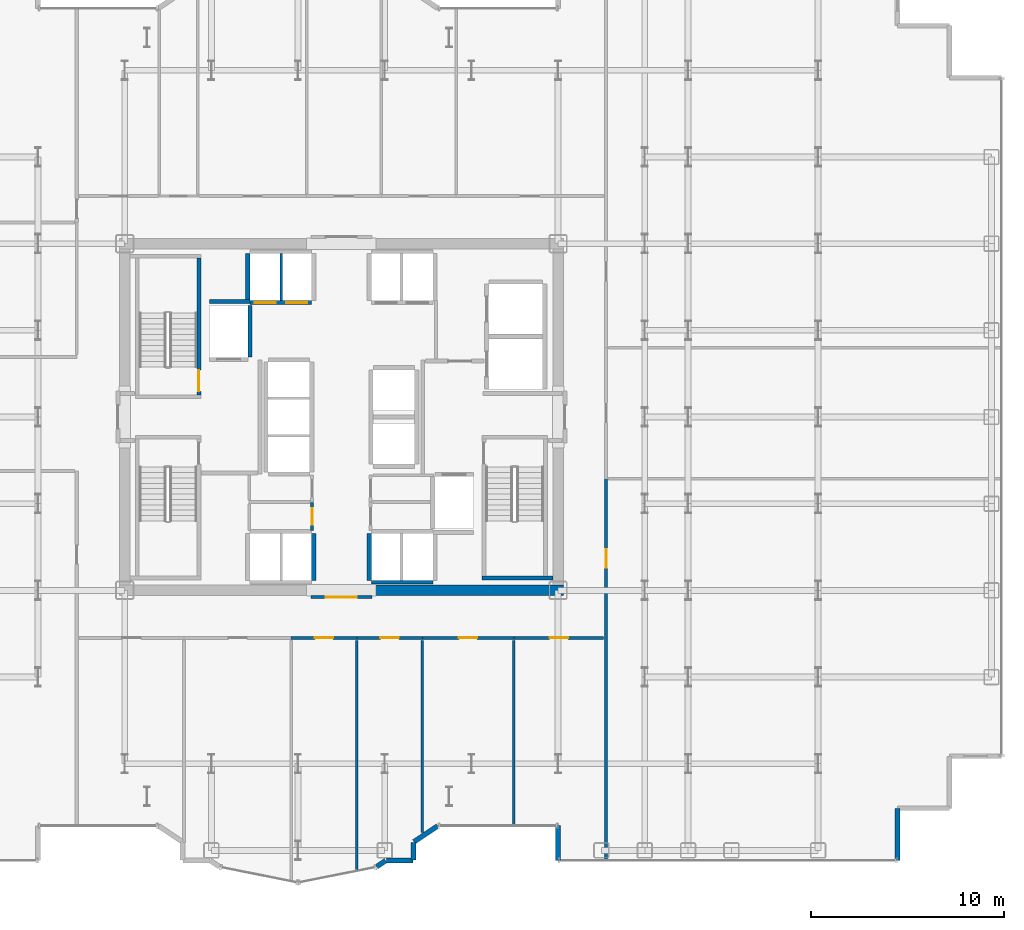
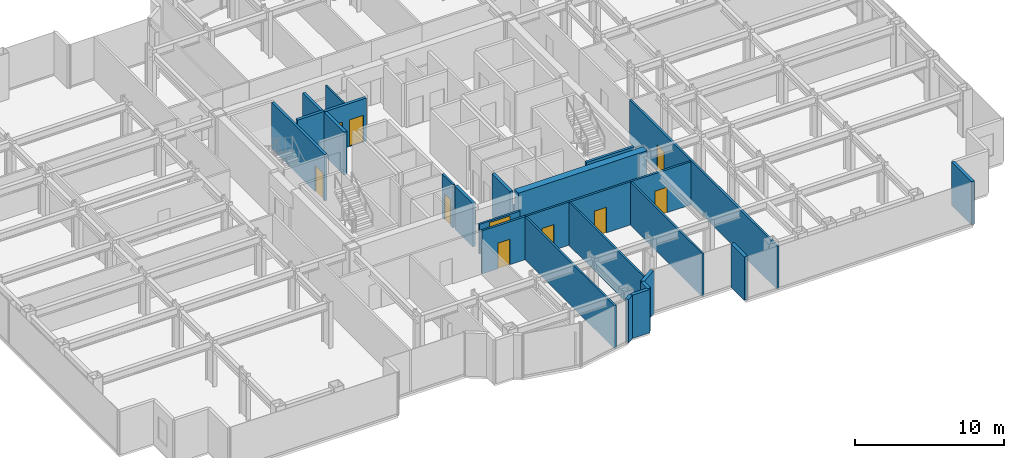
# One storey, part 21 of 25: 27 walls, 10 doors, 10 openings.
"""IFC4 building model written with IfcOpenShell, lengths in metres."""

from ifc_helpers import new_model, si_unit, direction, frame, frame_2d, origin, place, context, subcontext, project, spatial, rectangle, extrude, source, transform, mapped, material, layer, layer_set, type_object, element, fill, save


model = new_model("IFC4")

# Units and contexts
model_context = context("Model", 3, precision=1e-05, world=origin(), true_north=direction((0.0, 1.0)))
body_context = subcontext(model_context, "Body", "Model", "MODEL_VIEW")
ifc_project = project(units=[si_unit("LENGTHUNIT", "METRE"), si_unit("AREAUNIT", "SQUARE_METRE"), si_unit("VOLUMEUNIT", "CUBIC_METRE"), si_unit("PLANEANGLEUNIT", "RADIAN"), si_unit("MASSUNIT", "GRAM", prefix="KILO")], contexts=[model_context])

# Site, building, storey
site_placement = place(None, origin())
site = spatial("IfcSite", under=ifc_project, at=site_placement, CompositionType="ELEMENT")
building_placement = place(site_placement, origin())
building = spatial("IfcBuilding", under=site, at=building_placement, Name="Nefas-Gora Pilgrimage Tower", CompositionType="ELEMENT")
storey_placement = place(building_placement, frame((0.0, 0.0, 109.800048828125)))
storey = spatial("IfcBuildingStorey", under=building, at=storey_placement, Name="L26", CompositionType="ELEMENT", Elevation=109.800048828125)

# Walls
ifc_material_1 = material(Name="Concrete C60/75", Category="concrete")
ifc_layer_1 = layer(ifc_material_1, 0.550048828125)
ifc_layer_set_1 = layer_set([ifc_layer_1], Name="Concrete C60/75")
wall_type_1 = type_object("IfcWallType", Name="SW-CORE-550", PredefinedType="SHEAR", material=ifc_layer_set_1)
shared_shape_1 = source(origin(), body_context, "Body", "SweptSolid", [
    extrude(rectangle(XDim=9.974853515625, YDim=0.550048828125, at=frame_2d((4.9873046875, 0.0))), origin(), (0.0, 0.0, 1.0), 3.800048828125),
])
wall_1_placement = place(storey_placement, frame((1.550048828125, -9.0, 0.0), z_axis=(0.0, 0.0, 1.0), x_axis=(1.0, 0.0, 0.0)))
element("IfcWall", 1, at=wall_1_placement, inside=storey, type_object=wall_type_1, Name="L26 Core Shear Wall S-East", PredefinedType="SHEAR", context=body_context, shape_type="MappedRepresentation", body=[
    mapped(shared_shape_1, transform((0.0, 0.0, 0.0), x_axis=(1.0, 0.0, 0.0), y_axis=(0.0, 1.0, 0.0), z_axis=(0.0, 0.0, 1.0), scale=1.0)),
])
ifc_material_2 = material(Name="Precast concrete C40/50", Category="concrete")
ifc_layer_2 = layer(ifc_material_2, 0.260009765625)
ifc_layer_set_2 = layer_set([ifc_layer_2], Name="Precast concrete C40/50")
wall_type_2 = type_object("IfcWallType", Name="EW-PORTAL-260", PredefinedType="SOLIDWALL", material=ifc_layer_set_2)
shared_shape_2 = source(origin(), body_context, "Body", "SweptSolid", [
    extrude(rectangle(XDim=1.800048828125, YDim=0.260009765625, at=frame_2d((0.89990234375, 0.0))), origin(), (0.0, 0.0, 1.0), 3.550048828125),
])
wall_2_placement = place(storey_placement, frame((11.25, -21.219970703125, 0.0), z_axis=(0.0, 0.0, 1.0), x_axis=(0.0, -1.0, 0.0)))
element("IfcWall", 2, at=wall_2_placement, inside=storey, type_object=wall_type_2, Name="L26 Lobe Shoulder Precast Spandrel Pier 1", PredefinedType="SOLIDWALL", context=body_context, shape_type="MappedRepresentation", body=[
    mapped(shared_shape_2, transform((0.0, 0.0, 0.0), x_axis=(1.0, 0.0, 0.0), y_axis=(0.0, 1.0, 0.0), z_axis=(0.0, 0.0, 1.0), scale=1.0)),
])
ifc_material_3 = material(Name="Precast concrete C45/55", Category="concrete")
ifc_layer_3 = layer(ifc_material_3, 0.239990234375)
ifc_layer_set_3 = layer_set([ifc_layer_3], Name="Precast concrete C45/55")
wall_type_3 = type_object("IfcWallType", Name="EW-SERR-240", PredefinedType="SHEAR", material=ifc_layer_set_3)
shared_shape_3 = source(origin(), body_context, "Body", "SweptSolid", [
    extrude(rectangle(XDim=2.699951171875, YDim=0.239990234375, at=frame_2d((1.35009765625, 0.0))), origin(), (0.0, 0.0, 1.0), 3.550048828125),
])
wall_3_placement = place(storey_placement, frame((28.8701171875, -23.02001953125, 0.0), z_axis=(0.0, 0.0, 1.0), x_axis=(0.0, 1.0, 0.0)))
element("IfcWall", 3, at=wall_3_placement, inside=storey, type_object=wall_type_3, Name="L26 Serrated Corner Shear Pier Wall 2", PredefinedType="SHEAR", context=body_context, shape_type="MappedRepresentation", body=[
    mapped(shared_shape_3, transform((0.0, 0.0, 0.0), x_axis=(1.0, 0.0, 0.0), y_axis=(0.0, 1.0, 0.0), z_axis=(0.0, 0.0, 1.0), scale=1.0)),
])
shared_shape_4 = source(origin(), body_context, "Body", "SweptSolid", [
    extrude(rectangle(XDim=1.468994140625, YDim=0.260009765625, at=frame_2d((0.734375, 0.0))), origin(), (0.0, 0.0, 1.0), 3.550048828125),
])
wall_4_placement = place(storey_placement, frame((3.773193359375, -22.0517578125, 0.0), z_axis=(0.0, 0.0, 1.0), x_axis=(0.831461760506, 0.555581983884, 0.0)))
element("IfcWall", 4, at=wall_4_placement, inside=storey, type_object=wall_type_2, Name="L26 Lobe Shoulder Precast Spandrel Pier 36", PredefinedType="SOLIDWALL", context=body_context, shape_type="MappedRepresentation", body=[
    mapped(shared_shape_4, transform((0.0, 0.0, 0.0), x_axis=(1.0, 0.0, 0.0), y_axis=(0.0, 1.0, 0.0), z_axis=(0.0, 0.0, 1.0), scale=1.0)),
])
shared_shape_5 = source(origin(), body_context, "Body", "SweptSolid", [
    extrude(rectangle(XDim=0.896728515625, YDim=0.260009765625, at=frame_2d((0.4482421875, 0.0))), origin(), (0.0, 0.0, 1.0), 3.550048828125),
])
wall_5_placement = place(storey_placement, frame((3.75, -22.991943359375, 0.0), z_axis=(0.0, 0.0, 1.0), x_axis=(0.0, 1.0, 0.0)))
element("IfcWall", 5, at=wall_5_placement, inside=storey, type_object=wall_type_2, Name="L26 Lobe Shoulder Precast Spandrel Pier 35", PredefinedType="SOLIDWALL", context=body_context, shape_type="MappedRepresentation", body=[
    mapped(shared_shape_5, transform((0.0, 0.0, 0.0), x_axis=(1.0, 0.0, 0.0), y_axis=(0.0, 1.0, 0.0), z_axis=(0.0, 0.0, 1.0), scale=1.0)),
])
shared_shape_6 = source(origin(), body_context, "Body", "SweptSolid", [
    extrude(rectangle(XDim=1.369873046875, YDim=0.260009765625, at=frame_2d((0.68505859375, 0.0))), origin(), (0.0, 0.0, 1.0), 3.550048828125),
])
wall_6_placement = place(storey_placement, frame((2.35205078125, -23.02001953125, 0.0), z_axis=(0.0, 0.0, 1.0), x_axis=(1.0, 0.0, 0.0)))
element("IfcWall", 6, at=wall_6_placement, inside=storey, type_object=wall_type_2, Name="L26 Lobe Shoulder Precast Spandrel Pier 34", PredefinedType="SOLIDWALL", context=body_context, shape_type="MappedRepresentation", body=[
    mapped(shared_shape_6, transform((0.0, 0.0, 0.0), x_axis=(1.0, 0.0, 0.0), y_axis=(0.0, 1.0, 0.0), z_axis=(0.0, 0.0, 1.0), scale=1.0)),
])
shared_shape_7 = source(origin(), body_context, "Body", "SweptSolid", [
    extrude(rectangle(XDim=0.5654296875, YDim=0.260009765625, at=frame_2d((0.28271484375, 0.0))), origin(), (0.0, 0.0, 1.0), 3.550048828125),
])
wall_7_placement = place(storey_placement, frame((1.83056640625, -23.349609375, 0.0), z_axis=(0.0, 0.0, 1.0), x_axis=(0.831651492666, 0.555297933317, 0.0)))
element("IfcWall", 7, at=wall_7_placement, inside=storey, type_object=wall_type_2, Name="L26 Lobe Shoulder Precast Spandrel Pier 33", PredefinedType="SOLIDWALL", context=body_context, shape_type="MappedRepresentation", body=[
    mapped(shared_shape_7, transform((0.0, 0.0, 0.0), x_axis=(1.0, 0.0, 0.0), y_axis=(0.0, 1.0, 0.0), z_axis=(0.0, 0.0, 1.0), scale=1.0)),
])

# Wall, opening, door
ifc_material_4 = material(Name="Concrete C45/55", Category="concrete")
ifc_layer_4 = layer(ifc_material_4, 0.199951171875)
ifc_layer_set_4 = layer_set([ifc_layer_4], Name="Concrete C45/55")
wall_type_4 = type_object("IfcWallType", Name="IW-STAIR-200", PredefinedType="SOLIDWALL", material=ifc_layer_set_4)
shared_shape_8 = source(origin(), body_context, "Body", "SweptSolid", [
    extrude(rectangle(XDim=7.10009765625, YDim=0.199951171875, at=frame_2d((3.550048828125, 0.0))), origin(), (0.0, 0.0, 1.0), 3.800048828125),
])
wall_8_placement = place(storey_placement, frame((-7.39990234375, 1.14990234375, 0.0), z_axis=(0.0, 0.0, 1.0), x_axis=(0.0, 1.0, 0.0)))
wall_8 = element("IfcWall", 8, at=wall_8_placement, inside=storey, type_object=wall_type_4, Name="L26 Stairwell Shear Wall ST-01-left", PredefinedType="SOLIDWALL", context=body_context, shape_type="MappedRepresentation", body=[
    mapped(shared_shape_8, transform((0.0, 0.0, 0.0), x_axis=(1.0, 0.0, 0.0), y_axis=(0.0, 1.0, 0.0), z_axis=(0.0, 0.0, 1.0), scale=1.0)),
])
opening_1_placement = place(wall_8_placement, frame((0.179931640625, 0.0, 0.0)))
opening_1 = element("IfcOpeningElement", 9, at=opening_1_placement, cuts=wall_8, Name="Opening ID-ST1", PredefinedType="OPENING", context=body_context, shape_type="SweptSolid", body=[
    extrude(rectangle(XDim=1.10009765625, YDim=2.14990234375, at=frame_2d((0.550048828125, 1.074951171875))), frame((0.0, 0.10986328125, 0.0), z_axis=(0.0, -1.0, 0.0), x_axis=(1.0, 0.0, 0.0)), (0.0, 0.0, 1.0), 0.219970703125),
])
ifc_material_5 = material(Name="Painted galvanised steel fire stair door", Category="steel")
door_type_1 = type_object("IfcDoorType", Name="DR-INT-STAIR-1100", OperationType="NOTDEFINED", PredefinedType="DOOR", material=ifc_material_5)
shared_shape_9 = source(origin(), body_context, "Body", "SweptSolid", [
    extrude(rectangle(XDim=1.10009765625, YDim=2.14990234375, at=frame_2d((0.550048828125, 1.074951171875))), frame((0.0, 0.02490234375, 0.0), z_axis=(0.0, -1.0, 0.0), x_axis=(1.0, 0.0, 0.0)), (0.0, 0.0, 1.0), 0.050048828125),
])
door_1_placement = place(opening_1_placement, origin())
door_1 = element("IfcDoor", 10, at=door_1_placement, inside=storey, type_object=door_type_1, Name="L26 Protected Exit Stair Door ST-01", OperationType="SINGLE_SWING_RIGHT", OverallHeight=2.14990234375, OverallWidth=1.10009765625, PredefinedType="DOOR", context=body_context, shape_type="MappedRepresentation", body=[
    mapped(shared_shape_9, transform((0.0, 0.0, 0.0), x_axis=(1.0, 0.0, 0.0), y_axis=(0.0, 1.0, 0.0), z_axis=(0.0, 0.0, 1.0), scale=1.0)),
])
fill(opening_1, door_1)

# Walls
shared_shape_10 = source(origin(), body_context, "Body", "SweptSolid", [
    extrude(rectangle(XDim=3.679931640625, YDim=0.199951171875, at=frame_2d((1.83984375, 0.0))), origin(), (0.0, 0.0, 1.0), 3.800048828125),
])
wall_9_placement = place(storey_placement, frame((7.300048828125, -8.35009765625, 0.0), z_axis=(0.0, 0.0, 1.0), x_axis=(1.0, 0.0, 0.0)))
element("IfcWall", 11, at=wall_9_placement, inside=storey, type_object=wall_type_4, Name="L26 Stairwell Shear Wall ST-02-far", PredefinedType="SOLIDWALL", context=body_context, shape_type="MappedRepresentation", body=[
    mapped(shared_shape_10, transform((0.0, 0.0, 0.0), x_axis=(1.0, 0.0, 0.0), y_axis=(0.0, 1.0, 0.0), z_axis=(0.0, 0.0, 1.0), scale=1.0)),
])
ifc_material_6 = material(Name="Concrete C40/50", Category="concrete")
ifc_layer_5 = layer(ifc_material_6, 0.219970703125)
ifc_layer_set_5 = layer_set([ifc_layer_5], Name="Concrete C40/50")
wall_type_5 = type_object("IfcWallType", Name="IW-SHAFT-220", PredefinedType="SOLIDWALL", material=ifc_layer_set_5)
shared_shape_11 = source(origin(), body_context, "Body", "SweptSolid", [
    extrude(rectangle(XDim=2.679931640625, YDim=0.219970703125, at=frame_2d((1.33984375, 0.0))), origin(), (0.0, 0.0, 1.0), 3.534912109375),
])
wall_10_placement = place(storey_placement, frame((-4.739990234375, 3.110107421875, 0.0), z_axis=(0.0, 0.0, 1.0), x_axis=(0.0, 1.0, 0.0)))
element("IfcWall", 12, at=wall_10_placement, inside=storey, type_object=wall_type_5, Name="L26 Hoistway Wall FFL-01-E", PredefinedType="SOLIDWALL", context=body_context, shape_type="MappedRepresentation", body=[
    mapped(shared_shape_11, transform((0.0, 0.0, 0.0), x_axis=(1.0, 0.0, 0.0), y_axis=(0.0, 1.0, 0.0), z_axis=(0.0, 0.0, 1.0), scale=1.0)),
])

# Wall, openings, doors
shared_shape_12 = source(origin(), body_context, "Body", "SweptSolid", [
    extrude(rectangle(XDim=3.199951171875, YDim=0.219970703125, at=frame_2d((1.60009765625, 0.0))), origin(), (0.0, 0.0, 1.0), 3.534912109375),
])
wall_11_placement = place(storey_placement, frame((-4.75, 5.93994140625, 0.0), z_axis=(0.0, 0.0, 1.0), x_axis=(1.0, 0.0, 0.0)))
wall_11 = element("IfcWall", 13, at=wall_11_placement, inside=storey, type_object=wall_type_5, Name="L26 Hoistway Wall PL1-W-S", PredefinedType="SOLIDWALL", context=body_context, shape_type="MappedRepresentation", body=[
    mapped(shared_shape_12, transform((0.0, 0.0, 0.0), x_axis=(1.0, 0.0, 0.0), y_axis=(0.0, 1.0, 0.0), z_axis=(0.0, 0.0, 1.0), scale=1.0)),
])
opening_2_placement = place(wall_11_placement, frame((0.25, 0.0, 0.0)))
opening_2 = element("IfcOpeningElement", 14, at=opening_2_placement, cuts=wall_11, Name="Opening LD-01", PredefinedType="OPENING", context=body_context, shape_type="SweptSolid", body=[
    extrude(rectangle(XDim=1.10009765625, YDim=2.199951171875, at=frame_2d((0.550048828125, 1.10009765625))), frame((0.0, 0.119873046875, 0.0), z_axis=(0.0, -1.0, 0.0), x_axis=(1.0, 0.0, 0.0)), (0.0, 0.0, 1.0), 0.239990234375),
])
opening_3_placement = place(wall_11_placement, frame((1.875, 0.0, 0.0)))
opening_3 = element("IfcOpeningElement", 15, at=opening_3_placement, cuts=wall_11, Name="Opening LD-01", PredefinedType="OPENING", context=body_context, shape_type="SweptSolid", body=[
    extrude(rectangle(XDim=1.10009765625, YDim=2.199951171875, at=frame_2d((0.550048828125, 1.10009765625))), frame((0.0, 0.119873046875, 0.0), z_axis=(0.0, -1.0, 0.0), x_axis=(1.0, 0.0, 0.0)), (0.0, 0.0, 1.0), 0.239990234375),
])
ifc_material_7 = material(Name="Brushed stainless sliding lift landing door")
door_type_2 = type_object("IfcDoorType", Name="DR-LIFT-PASS-1100", OperationType="DOUBLE_DOOR_SLIDING", PredefinedType="DOOR", material=ifc_material_7)
shared_shape_13 = source(origin(), body_context, "Body", "SweptSolid", [
    extrude(rectangle(XDim=1.10009765625, YDim=2.199951171875, at=frame_2d((0.550048828125, 1.10009765625))), frame((0.0, 0.02490234375, 0.0), z_axis=(0.0, -1.0, 0.0), x_axis=(1.0, 0.0, 0.0)), (0.0, 0.0, 1.0), 0.050048828125),
])
door_2_placement = place(opening_2_placement, origin())
door_2 = element("IfcDoor", 16, at=door_2_placement, inside=storey, type_object=door_type_2, Name="L26 Sliding Lift Landing Door PL1-01", OperationType="DOUBLE_DOOR_SLIDING", OverallHeight=2.199951171875, OverallWidth=1.10009765625, PredefinedType="DOOR", context=body_context, shape_type="MappedRepresentation", body=[
    mapped(shared_shape_13, transform((0.0, 0.0, 0.0), x_axis=(1.0, 0.0, 0.0), y_axis=(0.0, 1.0, 0.0), z_axis=(0.0, 0.0, 1.0), scale=1.0)),
])
fill(opening_2, door_2)
door_3_placement = place(opening_3_placement, origin())
door_3 = element("IfcDoor", 17, at=door_3_placement, inside=storey, type_object=door_type_2, Name="L26 Sliding Lift Landing Door PL1-02", OperationType="DOUBLE_DOOR_SLIDING", OverallHeight=2.199951171875, OverallWidth=1.10009765625, PredefinedType="DOOR", context=body_context, shape_type="MappedRepresentation", body=[
    mapped(shared_shape_13, transform((0.0, 0.0, 0.0), x_axis=(1.0, 0.0, 0.0), y_axis=(0.0, 1.0, 0.0), z_axis=(0.0, 0.0, 1.0), scale=1.0)),
])
fill(opening_3, door_3)

# Walls
ifc_material_8 = material(Name="Gypsum acoustic stud partition")
ifc_layer_6 = layer(ifc_material_8, 0.159912109375)
ifc_layer_set_6 = layer_set([ifc_layer_6], Name="Gypsum acoustic stud partition")
wall_type_6 = type_object("IfcWallType", Name="IW-CORR-160", PredefinedType="PARTITIONING", material=ifc_layer_set_6)
shared_shape_14 = source(origin(), body_context, "Body", "SweptSolid", [
    extrude(rectangle(XDim=3.199951171875, YDim=0.159912109375, at=frame_2d((1.60009765625, 0.0))), origin(), (0.0, 0.0, 1.0), 2.425048828125),
])
wall_12_placement = place(storey_placement, frame((1.550048828125, -8.580078125, 0.0), z_axis=(0.0, 0.0, 1.0), x_axis=(1.0, 0.0, 0.0)))
element("IfcWall", 18, at=wall_12_placement, inside=storey, type_object=wall_type_6, Name="L26 Hoistway Wall PL2-E-S", PredefinedType="PARTITIONING", context=body_context, shape_type="MappedRepresentation", body=[
    mapped(shared_shape_14, transform((0.0, 0.0, 0.0), x_axis=(1.0, 0.0, 0.0), y_axis=(0.0, 1.0, 0.0), z_axis=(0.0, 0.0, 1.0), scale=1.0)),
])
shared_shape_15 = source(origin(), body_context, "Body", "SweptSolid", [
    extrude(rectangle(XDim=2.429931640625, YDim=0.219970703125, at=frame_2d((1.21484375, 0.0))), origin(), (0.0, 0.0, 1.0), 3.534912109375),
])
for number, where, z_axis, x_axis, name in (
    (19, (-4.860107421875, 8.489990234375, 0.0), (0.0, 0.0, 1.0), (0.0, -1.0, 0.0), "L26 Hoistway Wall PL1-W-W"),
    (20, (-1.43994140625, -8.489990234375, 0.0), (0.0, 0.0, 1.0), (0.0, 1.0, 0.0), "L26 Hoistway Wall PL2-W-E"),
    (21, (1.43994140625, -6.06005859375, 0.0), (0.0, 0.0, 1.0), (0.0, -1.0, 0.0), "L26 Hoistway Wall PL2-E-W"),
):
    element("IfcWall", number, at=place(storey_placement, frame(where, z_axis=z_axis, x_axis=x_axis)), inside=storey, type_object=wall_type_5, Name=name, PredefinedType="SOLIDWALL", context=body_context, shape_type="MappedRepresentation", body=[
        mapped(shared_shape_15, transform((0.0, 0.0, 0.0), x_axis=(1.0, 0.0, 0.0), y_axis=(0.0, 1.0, 0.0), z_axis=(0.0, 0.0, 1.0), scale=1.0)),
    ])
ifc_material_9 = material(Name="Gypsum twin-stud partition")
ifc_layer_7 = layer(ifc_material_9, 0.139892578125)
ifc_layer_set_7 = layer_set([ifc_layer_7], Name="Gypsum twin-stud partition")
wall_type_7 = type_object("IfcWallType", Name="IW-UNIT-140", PredefinedType="PARTITIONING", material=ifc_layer_set_7)
shared_shape_16 = source(origin(), body_context, "Body", "SweptSolid", [
    extrude(rectangle(XDim=2.429931640625, YDim=0.139892578125, at=frame_2d((1.21484375, 0.0))), origin(), (0.0, 0.0, 1.0), 3.534912109375),
])
wall_13_placement = place(storey_placement, frame((-3.125, 6.06005859375, 0.0), z_axis=(0.0, 0.0, 1.0), x_axis=(0.0, 1.0, 0.0)))
element("IfcWall", 22, at=wall_13_placement, inside=storey, type_object=wall_type_7, Name="L26 Hoistway Wall PL1-W-DIV", PredefinedType="PARTITIONING", context=body_context, shape_type="MappedRepresentation", body=[
    mapped(shared_shape_16, transform((0.0, 0.0, 0.0), x_axis=(1.0, 0.0, 0.0), y_axis=(0.0, 1.0, 0.0), z_axis=(0.0, 0.0, 1.0), scale=1.0)),
])
shared_shape_17 = source(origin(), body_context, "Body", "SweptSolid", [
    extrude(rectangle(XDim=2.09521484375, YDim=0.219970703125, at=frame_2d((1.047607421875, 0.0))), origin(), (0.0, 0.0, 1.0), 3.534912109375),
])
wall_14_placement = place(storey_placement, frame((-6.85009765625, 6.0, 0.0), z_axis=(0.0, 0.0, 1.0), x_axis=(1.0, 0.0, 0.0)))
element("IfcWall", 23, at=wall_14_placement, inside=storey, type_object=wall_type_5, Name="L26 Riser Shaft Wall 1", PredefinedType="SOLIDWALL", context=body_context, shape_type="MappedRepresentation", body=[
    mapped(shared_shape_17, transform((0.0, 0.0, 0.0), x_axis=(1.0, 0.0, 0.0), y_axis=(0.0, 1.0, 0.0), z_axis=(0.0, 0.0, 1.0), scale=1.0)),
])
shared_shape_18 = source(origin(), body_context, "Body", "SweptSolid", [
    extrude(rectangle(XDim=9.64990234375, YDim=0.139892578125, at=frame_2d((4.824951171875, 0.0))), origin(), (0.0, 0.0, 1.0), 3.534912109375),
])
wall_15_placement = place(storey_placement, frame((8.949951171875, -21.239990234375, 0.0), z_axis=(0.0, 0.0, 1.0), x_axis=(0.0, 1.0, 0.0)))
element("IfcWall", 24, at=wall_15_placement, inside=storey, type_object=wall_type_7, Name="L26 Pilgrim Contemplative Lounge Partition Wall 57", PredefinedType="PARTITIONING", context=body_context, shape_type="MappedRepresentation", body=[
    mapped(shared_shape_18, transform((0.0, 0.0, 0.0), x_axis=(1.0, 0.0, 0.0), y_axis=(0.0, 1.0, 0.0), z_axis=(0.0, 0.0, 1.0), scale=1.0)),
])

# Wall, opening, door
shared_shape_19 = source(origin(), body_context, "Body", "SweptSolid", [
    extrude(rectangle(XDim=1.449951171875, YDim=0.159912109375, at=frame_2d((0.72509765625, 0.0))), origin(), (0.0, 0.0, 1.0), 3.534912109375),
])
wall_16_placement = place(storey_placement, frame((-1.52001953125, -5.889892578125, 0.0), z_axis=(0.0, 0.0, 1.0), x_axis=(0.0, 1.0, 0.0)))
wall_16 = element("IfcWall", 25, at=wall_16_placement, inside=storey, type_object=wall_type_6, Name="L26 Guest Self-Service Laundry Room Wall 19", PredefinedType="PARTITIONING", context=body_context, shape_type="MappedRepresentation", body=[
    mapped(shared_shape_19, transform((0.0, 0.0, 0.0), x_axis=(1.0, 0.0, 0.0), y_axis=(0.0, 1.0, 0.0), z_axis=(0.0, 0.0, 1.0), scale=1.0)),
])
opening_4_placement = place(wall_16_placement, frame((0.300048828125, 0.0, 0.0)))
opening_4 = element("IfcOpeningElement", 26, at=opening_4_placement, cuts=wall_16, Name="Opening ID-BT1", PredefinedType="OPENING", context=body_context, shape_type="SweptSolid", body=[
    extrude(rectangle(XDim=0.85009765625, YDim=2.10009765625, at=frame_2d((0.425048828125, 1.050048828125))), frame((0.0, 0.08984375, 0.0), z_axis=(0.0, -1.0, 0.0), x_axis=(1.0, 0.0, 0.0)), (0.0, 0.0, 1.0), 0.179931640625),
])
ifc_material_10 = material(Name="Moisture-resistant fire-rated timber door", Category="wood")
door_type_3 = type_object("IfcDoorType", Name="DR-INT-BATH-850", OperationType="NOTDEFINED", PredefinedType="DOOR", material=ifc_material_10)
shared_shape_20 = source(origin(), body_context, "Body", "SweptSolid", [
    extrude(rectangle(XDim=0.85009765625, YDim=2.10009765625, at=frame_2d((0.425048828125, 1.050048828125))), frame((0.0, 0.02490234375, 0.0), z_axis=(0.0, -1.0, 0.0), x_axis=(1.0, 0.0, 0.0)), (0.0, 0.0, 1.0), 0.050048828125),
])
door_4_placement = place(opening_4_placement, origin())
door_4 = element("IfcDoor", 27, at=door_4_placement, inside=storey, type_object=door_type_3, Name="L26 Guest Self-Service Laundry Room Door 7", OperationType="SINGLE_SWING_LEFT", OverallHeight=2.10009765625, OverallWidth=0.85009765625, PredefinedType="DOOR", context=body_context, shape_type="MappedRepresentation", body=[
    mapped(shared_shape_20, transform((0.0, 0.0, 0.0), x_axis=(1.0, 0.0, 0.0), y_axis=(0.0, 1.0, 0.0), z_axis=(0.0, 0.0, 1.0), scale=1.0)),
])
fill(opening_4, door_4)

shared_shape_21 = source(origin(), body_context, "Body", "SweptSolid", [
    extrude(rectangle(XDim=3.405029296875, YDim=0.159912109375, at=frame_2d((1.70263671875, 0.0))), origin(), (0.0, 0.0, 1.0), 3.534912109375),
])
wall_17_placement = place(storey_placement, frame((-2.60498046875, -11.469970703125, 0.0), z_axis=(0.0, 0.0, 1.0), x_axis=(1.0, 0.0, 0.0)))
wall_17 = element("IfcWall", 28, at=wall_17_placement, inside=storey, type_object=wall_type_6, Name="L26 Pilgrim Contemplative Lounge Partition Wall 52", PredefinedType="PARTITIONING", context=body_context, shape_type="MappedRepresentation", body=[
    mapped(shared_shape_21, transform((0.0, 0.0, 0.0), x_axis=(1.0, 0.0, 0.0), y_axis=(0.0, 1.0, 0.0), z_axis=(0.0, 0.0, 1.0), scale=1.0)),
])
opening_5_placement = place(wall_17_placement, frame((1.2275390625, 0.0, 0.0)))
opening_5 = element("IfcOpeningElement", 29, at=opening_5_placement, cuts=wall_17, Name="Opening ID-GR1", PredefinedType="OPENING", context=body_context, shape_type="SweptSolid", body=[
    extrude(rectangle(XDim=0.949951171875, YDim=2.10009765625, at=frame_2d((0.47509765625, 1.050048828125))), frame((0.0, 0.08984375, 0.0), z_axis=(0.0, -1.0, 0.0), x_axis=(1.0, 0.0, 0.0)), (0.0, 0.0, 1.0), 0.179931640625),
])
ifc_material_11 = material(Name="Solid core oak fire-rated guest entrance door")
door_type_4 = type_object("IfcDoorType", Name="DR-INT-GUEST-950", OperationType="NOTDEFINED", PredefinedType="DOOR", material=ifc_material_11)
shared_shape_22 = source(origin(), body_context, "Body", "SweptSolid", [
    extrude(rectangle(XDim=0.949951171875, YDim=2.10009765625, at=frame_2d((0.47509765625, 1.050048828125))), frame((0.0, 0.02490234375, 0.0), z_axis=(0.0, -1.0, 0.0), x_axis=(1.0, 0.0, 0.0)), (0.0, 0.0, 1.0), 0.050048828125),
])
door_5_placement = place(opening_5_placement, origin())
door_5 = element("IfcDoor", 30, at=door_5_placement, inside=storey, type_object=door_type_4, Name="L26 Pilgrim Contemplative Lounge Door 25", OperationType="SINGLE_SWING_LEFT", OverallHeight=2.10009765625, OverallWidth=0.949951171875, PredefinedType="DOOR", context=body_context, shape_type="MappedRepresentation", body=[
    mapped(shared_shape_22, transform((0.0, 0.0, 0.0), x_axis=(1.0, 0.0, 0.0), y_axis=(0.0, 1.0, 0.0), z_axis=(0.0, 0.0, 1.0), scale=1.0)),
])
fill(opening_5, door_5)

wall_18_placement = place(storey_placement, frame((0.800048828125, -11.469970703125, 0.0), z_axis=(0.0, 0.0, 1.0), x_axis=(1.0, 0.0, 0.0)))
wall_18 = element("IfcWall", 31, at=wall_18_placement, inside=storey, type_object=wall_type_6, Name="L26 Pilgrim Contemplative Lounge Partition Wall 54", PredefinedType="PARTITIONING", context=body_context, shape_type="MappedRepresentation", body=[
    mapped(shared_shape_21, transform((0.0, 0.0, 0.0), x_axis=(1.0, 0.0, 0.0), y_axis=(0.0, 1.0, 0.0), z_axis=(0.0, 0.0, 1.0), scale=1.0)),
])
opening_6_placement = place(wall_18_placement, frame((1.2275390625, 0.0, 0.0)))
opening_6 = element("IfcOpeningElement", 32, at=opening_6_placement, cuts=wall_18, Name="Opening ID-GR1", PredefinedType="OPENING", context=body_context, shape_type="SweptSolid", body=[
    extrude(rectangle(XDim=0.949951171875, YDim=2.10009765625, at=frame_2d((0.47509765625, 1.050048828125))), frame((0.0, 0.08984375, 0.0), z_axis=(0.0, -1.0, 0.0), x_axis=(1.0, 0.0, 0.0)), (0.0, 0.0, 1.0), 0.179931640625),
])
door_6_placement = place(opening_6_placement, origin())
door_6 = element("IfcDoor", 33, at=door_6_placement, inside=storey, type_object=door_type_4, Name="L26 Pilgrim Contemplative Lounge Door 26", OperationType="SINGLE_SWING_RIGHT", OverallHeight=2.10009765625, OverallWidth=0.949951171875, PredefinedType="DOOR", context=body_context, shape_type="MappedRepresentation", body=[
    mapped(shared_shape_22, transform((0.0, 0.0, 0.0), x_axis=(1.0, 0.0, 0.0), y_axis=(0.0, 1.0, 0.0), z_axis=(0.0, 0.0, 1.0), scale=1.0)),
])
fill(opening_6, door_6)

shared_shape_23 = source(origin(), body_context, "Body", "SweptSolid", [
    extrude(rectangle(XDim=3.16015625, YDim=0.159912109375, at=frame_2d((1.580078125, 0.0))), origin(), (0.0, 0.0, 1.0), 2.425048828125),
])
wall_19_placement = place(storey_placement, frame((-1.580078125, -9.35009765625, 0.0), z_axis=(0.0, 0.0, 1.0), x_axis=(1.0, 0.0, 0.0)))
wall_19 = element("IfcWall", 34, at=wall_19_placement, inside=storey, type_object=wall_type_6, Name="L26 Central Lift Lobby South Portal Wall 14", PredefinedType="PARTITIONING", context=body_context, shape_type="MappedRepresentation", body=[
    mapped(shared_shape_23, transform((0.0, 0.0, 0.0), x_axis=(1.0, 0.0, 0.0), y_axis=(0.0, 1.0, 0.0), z_axis=(0.0, 0.0, 1.0), scale=1.0)),
])
opening_7_placement = place(wall_19_placement, frame((0.780029296875, 0.0, 0.0)))
opening_7 = element("IfcOpeningElement", 35, at=opening_7_placement, cuts=wall_19, Name="Opening ID-HL1", PredefinedType="OPENING", context=body_context, shape_type="SweptSolid", body=[
    extrude(rectangle(XDim=1.60009765625, YDim=2.300048828125, at=frame_2d((0.800048828125, 1.14990234375))), frame((0.0, 0.08984375, 0.0), z_axis=(0.0, -1.0, 0.0), x_axis=(1.0, 0.0, 0.0)), (0.0, 0.0, 1.0), 0.179931640625),
])
ifc_material_12 = material(Name="Double acoustic timber assembly hall door", Category="wood")
door_type_5 = type_object("IfcDoorType", Name="DR-INT-HALL-1600", OperationType="DOUBLE_DOOR_SINGLE_SWING", PredefinedType="DOOR", material=ifc_material_12)
shared_shape_24 = source(origin(), body_context, "Body", "SweptSolid", [
    extrude(rectangle(XDim=1.60009765625, YDim=2.300048828125, at=frame_2d((0.800048828125, 1.14990234375))), frame((0.0, 0.02490234375, 0.0), z_axis=(0.0, -1.0, 0.0), x_axis=(1.0, 0.0, 0.0)), (0.0, 0.0, 1.0), 0.050048828125),
])
door_7_placement = place(opening_7_placement, origin())
door_7 = element("IfcDoor", 36, at=door_7_placement, inside=storey, type_object=door_type_5, Name="L26 Central Lift Lobby South Portal Door 5", OperationType="DOUBLE_DOOR_SINGLE_SWING", OverallHeight=2.300048828125, OverallWidth=1.60009765625, PredefinedType="DOOR", context=body_context, shape_type="MappedRepresentation", body=[
    mapped(shared_shape_24, transform((0.0, 0.0, 0.0), x_axis=(1.0, 0.0, 0.0), y_axis=(0.0, 1.0, 0.0), z_axis=(0.0, 0.0, 1.0), scale=1.0)),
])
fill(opening_7, door_7)

shared_shape_25 = source(origin(), body_context, "Body", "SweptSolid", [
    extrude(rectangle(XDim=19.844970703125, YDim=0.159912109375, at=frame_2d((9.92236328125, 0.0))), origin(), (0.0, 0.0, 1.0), 3.534912109375),
])
wall_20_placement = place(storey_placement, frame((13.739990234375, -23.0400390625, 0.0), z_axis=(0.0, 0.0, 1.0), x_axis=(0.0, 1.0, 0.0)))
wall_20 = element("IfcWall", 37, at=wall_20_placement, inside=storey, type_object=wall_type_6, Name="L26 Pilgrim Fellowship Seminar Room Partition Wall 35", PredefinedType="PARTITIONING", context=body_context, shape_type="MappedRepresentation", body=[
    mapped(shared_shape_25, transform((0.0, 0.0, 0.0), x_axis=(1.0, 0.0, 0.0), y_axis=(0.0, 1.0, 0.0), z_axis=(0.0, 0.0, 1.0), scale=1.0)),
])
opening_8_placement = place(wall_20_placement, frame((15.21240234375, 0.0, 0.0)))
opening_8 = element("IfcOpeningElement", 38, at=opening_8_placement, cuts=wall_20, Name="Opening ID-GR1", PredefinedType="OPENING", context=body_context, shape_type="SweptSolid", body=[
    extrude(rectangle(XDim=0.949951171875, YDim=2.10009765625, at=frame_2d((0.47509765625, 1.050048828125))), frame((0.0, 0.08984375, 0.0), z_axis=(0.0, -1.0, 0.0), x_axis=(1.0, 0.0, 0.0)), (0.0, 0.0, 1.0), 0.179931640625),
])
door_8_placement = place(opening_8_placement, origin())
door_8 = element("IfcDoor", 39, at=door_8_placement, inside=storey, type_object=door_type_4, Name="L26 Pilgrim Fellowship Seminar Room Door 15", OperationType="SINGLE_SWING_LEFT", OverallHeight=2.10009765625, OverallWidth=0.949951171875, PredefinedType="DOOR", context=body_context, shape_type="MappedRepresentation", body=[
    mapped(shared_shape_22, transform((0.0, 0.0, 0.0), x_axis=(1.0, 0.0, 0.0), y_axis=(0.0, 1.0, 0.0), z_axis=(0.0, 0.0, 1.0), scale=1.0)),
])
fill(opening_8, door_8)

# Walls
shared_shape_26 = source(origin(), body_context, "Body", "SweptSolid", [
    extrude(rectangle(XDim=11.998046875, YDim=0.139892578125, at=frame_2d((5.9990234375, 0.0))), origin(), (0.0, 0.0, 1.0), 3.534912109375),
])
wall_21_placement = place(storey_placement, frame((0.7900390625, -23.588134765625, 0.0), z_axis=(0.0, 0.0, 1.0), x_axis=(0.0, 1.0, 0.0)))
element("IfcWall", 40, at=wall_21_placement, inside=storey, type_object=wall_type_7, Name="L26 Pilgrim Contemplative Lounge Partition Wall 53", PredefinedType="PARTITIONING", context=body_context, shape_type="MappedRepresentation", body=[
    mapped(shared_shape_26, transform((0.0, 0.0, 0.0), x_axis=(1.0, 0.0, 0.0), y_axis=(0.0, 1.0, 0.0), z_axis=(0.0, 0.0, 1.0), scale=1.0)),
])
shared_shape_27 = source(origin(), body_context, "Body", "SweptSolid", [
    extrude(rectangle(XDim=9.977783203125, YDim=0.139892578125, at=frame_2d((4.98876953125, 0.0))), origin(), (0.0, 0.0, 1.0), 3.534912109375),
])
wall_22_placement = place(storey_placement, frame((4.195068359375, -21.56787109375, 0.0), z_axis=(0.0, 0.0, 1.0), x_axis=(0.0, 1.0, 0.0)))
element("IfcWall", 41, at=wall_22_placement, inside=storey, type_object=wall_type_7, Name="L26 Pilgrim Contemplative Lounge Partition Wall 55", PredefinedType="PARTITIONING", context=body_context, shape_type="MappedRepresentation", body=[
    mapped(shared_shape_27, transform((0.0, 0.0, 0.0), x_axis=(1.0, 0.0, 0.0), y_axis=(0.0, 1.0, 0.0), z_axis=(0.0, 0.0, 1.0), scale=1.0)),
])

# Wall, opening, door
shared_shape_28 = source(origin(), body_context, "Body", "SweptSolid", [
    extrude(rectangle(XDim=4.764892578125, YDim=0.159912109375, at=frame_2d((2.38232421875, 0.0))), origin(), (0.0, 0.0, 1.0), 3.534912109375),
])
wall_23_placement = place(storey_placement, frame((4.195068359375, -11.469970703125, 0.0), z_axis=(0.0, 0.0, 1.0), x_axis=(1.0, 0.0, 0.0)))
wall_23 = element("IfcWall", 42, at=wall_23_placement, inside=storey, type_object=wall_type_6, Name="L26 Pilgrim Contemplative Lounge Partition Wall 56", PredefinedType="PARTITIONING", context=body_context, shape_type="MappedRepresentation", body=[
    mapped(shared_shape_28, transform((0.0, 0.0, 0.0), x_axis=(1.0, 0.0, 0.0), y_axis=(0.0, 1.0, 0.0), z_axis=(0.0, 0.0, 1.0), scale=1.0)),
])
opening_9_placement = place(wall_23_placement, frame((1.907470703125, 0.0, 0.0)))
opening_9 = element("IfcOpeningElement", 43, at=opening_9_placement, cuts=wall_23, Name="Opening ID-GR1", PredefinedType="OPENING", context=body_context, shape_type="SweptSolid", body=[
    extrude(rectangle(XDim=0.949951171875, YDim=2.10009765625, at=frame_2d((0.47509765625, 1.050048828125))), frame((0.0, 0.08984375, 0.0), z_axis=(0.0, -1.0, 0.0), x_axis=(1.0, 0.0, 0.0)), (0.0, 0.0, 1.0), 0.179931640625),
])
door_9_placement = place(opening_9_placement, origin())
door_9 = element("IfcDoor", 44, at=door_9_placement, inside=storey, type_object=door_type_4, Name="L26 Pilgrim Contemplative Lounge Door 27", OperationType="SINGLE_SWING_LEFT", OverallHeight=2.10009765625, OverallWidth=0.949951171875, PredefinedType="DOOR", context=body_context, shape_type="MappedRepresentation", body=[
    mapped(shared_shape_22, transform((0.0, 0.0, 0.0), x_axis=(1.0, 0.0, 0.0), y_axis=(0.0, 1.0, 0.0), z_axis=(0.0, 0.0, 1.0), scale=1.0)),
])
fill(opening_9, door_9)

shared_shape_29 = source(origin(), body_context, "Body", "SweptSolid", [
    extrude(rectangle(XDim=4.66015625, YDim=0.159912109375, at=frame_2d((2.330078125, 0.0))), origin(), (0.0, 0.0, 1.0), 3.534912109375),
])
wall_24_placement = place(storey_placement, frame((8.9599609375, -11.469970703125, 0.0), z_axis=(0.0, 0.0, 1.0), x_axis=(1.0, 0.0, 0.0)))
wall_24 = element("IfcWall", 45, at=wall_24_placement, inside=storey, type_object=wall_type_6, Name="L26 Pilgrim Contemplative Lounge Partition Wall 58", PredefinedType="PARTITIONING", context=body_context, shape_type="MappedRepresentation", body=[
    mapped(shared_shape_29, transform((0.0, 0.0, 0.0), x_axis=(1.0, 0.0, 0.0), y_axis=(0.0, 1.0, 0.0), z_axis=(0.0, 0.0, 1.0), scale=1.0)),
])
opening_10_placement = place(wall_24_placement, frame((1.85498046875, 0.0, 0.0)))
opening_10 = element("IfcOpeningElement", 46, at=opening_10_placement, cuts=wall_24, Name="Opening ID-GR1", PredefinedType="OPENING", context=body_context, shape_type="SweptSolid", body=[
    extrude(rectangle(XDim=0.949951171875, YDim=2.10009765625, at=frame_2d((0.47509765625, 1.050048828125))), frame((0.0, 0.08984375, 0.0), z_axis=(0.0, -1.0, 0.0), x_axis=(1.0, 0.0, 0.0)), (0.0, 0.0, 1.0), 0.179931640625),
])
door_10_placement = place(opening_10_placement, origin())
door_10 = element("IfcDoor", 47, at=door_10_placement, inside=storey, type_object=door_type_4, Name="L26 Pilgrim Contemplative Lounge Door 28", OperationType="SINGLE_SWING_RIGHT", OverallHeight=2.10009765625, OverallWidth=0.949951171875, PredefinedType="DOOR", context=body_context, shape_type="MappedRepresentation", body=[
    mapped(shared_shape_22, transform((0.0, 0.0, 0.0), x_axis=(1.0, 0.0, 0.0), y_axis=(0.0, 1.0, 0.0), z_axis=(0.0, 0.0, 1.0), scale=1.0)),
])
fill(opening_10, door_10)

save(model, "model.ifc")
